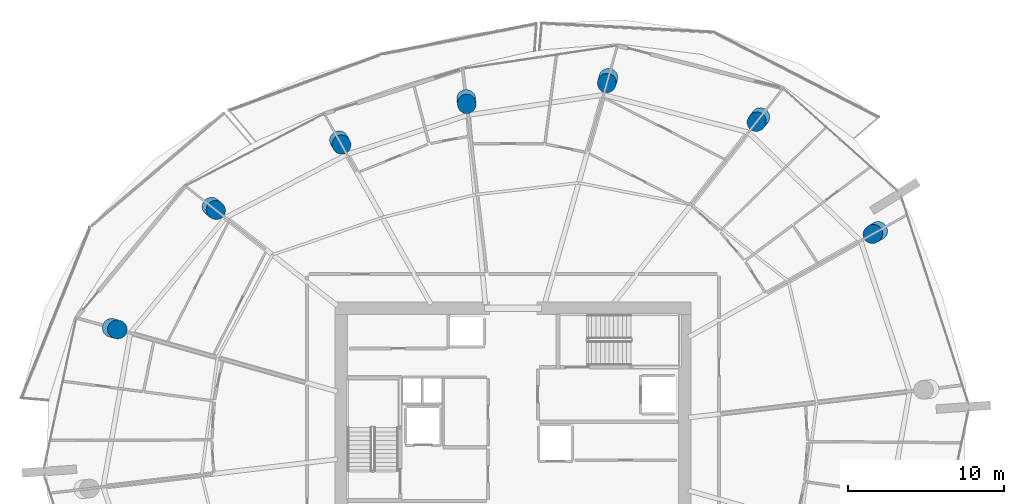
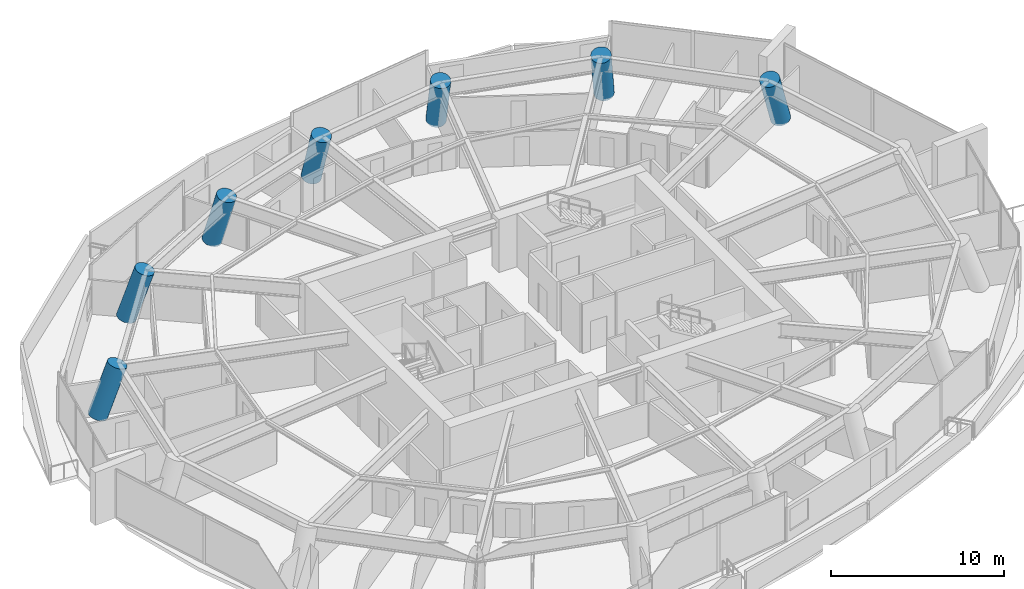
# One storey, part 4 of 23: 7 columns.
"""IFC4 building model written with IfcOpenShell, lengths in metres."""

from ifc_helpers import new_model, si_unit, direction, frame, origin, origin_2d, place, context, subcontext, project, spatial, circle, extrude, material, material_profile, profile_set, type_object, element, save


model = new_model("IFC4")

# Units and contexts
model_context = context("Model", 3, precision=1e-05, world=origin(), true_north=direction((0.0, 1.0)))
body_context = subcontext(model_context, "Body", "Model", "MODEL_VIEW")
ifc_project = project(units=[si_unit("LENGTHUNIT", "METRE"), si_unit("AREAUNIT", "SQUARE_METRE"), si_unit("VOLUMEUNIT", "CUBIC_METRE"), si_unit("PLANEANGLEUNIT", "RADIAN"), si_unit("MASSUNIT", "GRAM", prefix="KILO")], contexts=[model_context])

# Site, building, storey
site_placement = place(None, origin())
site = spatial("IfcSite", under=ifc_project, at=site_placement, CompositionType="ELEMENT")
building_placement = place(site_placement, origin())
building = spatial("IfcBuilding", under=site, at=building_placement, Name="Kazma Halo Residences", CompositionType="ELEMENT")
storey_placement = place(building_placement, frame((0.0, 0.0, 112.64990234375)))
storey = spatial("IfcBuildingStorey", under=building, at=storey_placement, Name="L28", CompositionType="ELEMENT", Elevation=112.64990234375)

# Columns
ifc_material = material(Name="Concrete C80/95", Category="concrete")
ifc_material_profile = material_profile(ifc_material, circle(Radius=0.60009765625, at=origin_2d()), Name="CIRC1200")
ifc_profile_set = profile_set([ifc_material_profile], Name="Concrete C80/95")
column_type = type_object("IfcColumnType", Name="COL-PERIM-1200", PredefinedType="COLUMN", material=ifc_profile_set)
column_1_placement = place(storey_placement, frame((71.9033203125, 55.386474609375, 0.0), z_axis=(-0.289376505588, -0.162077391433, 0.943393956521), x_axis=(0.488664302037, -0.872471890616, 0.0)))
element("IfcColumn", 1, at=column_1_placement, inside=storey, type_object=column_type, Name="L28 perimeter ring column P01", PredefinedType="COLUMN", context=body_context, shape_type="SweptSolid", body=[
    extrude(circle(Radius=0.60009765625, at=origin_2d()), origin(), (0.0, 0.0, 1.0), 3.678466796875),
])
column_2_placement = place(storey_placement, frame((64.323486328125, 62.706298828125, 0.0), z_axis=(-0.198457488994, -0.251703806559, 0.947237994818), x_axis=(0.785271109582, -0.619152068926, 0.0)))
element("IfcColumn", 2, at=column_2_placement, inside=storey, type_object=column_type, Name="L28 perimeter ring column P02", PredefinedType="COLUMN", context=body_context, shape_type="SweptSolid", body=[
    extrude(circle(Radius=0.60009765625, at=origin_2d()), origin(), (0.0, 0.0, 1.0), 3.66357421875),
])
column_3_placement = place(storey_placement, frame((54.552734375, 65.234130859375, 0.0), z_axis=(-0.080372181919, -0.284864280229, 0.955192469727), x_axis=(0.962426857869, -0.271541052609, 0.0)))
element("IfcColumn", 3, at=column_3_placement, inside=storey, type_object=column_type, Name="L28 perimeter ring column P03", PredefinedType="COLUMN", context=body_context, shape_type="SweptSolid", body=[
    extrude(circle(Radius=0.60009765625, at=origin_2d()), origin(), (0.0, 0.0, 1.0), 3.633056640625),
])
for number, where, z_axis, x_axis, name in (
    (4, (45.41162109375, 63.869140625, 0.0), (0.031955218723, -0.270062219249, 0.962312455355), (0.99307221262, 0.117505661659, 0.0), "L28 perimeter ring column P04"),
    (5, (37.23974609375, 61.2138671875, 0.0), (0.132897442347, -0.237292682336, 0.962304760836), (0.872484791249, 0.488641268252, 0.0), "L28 perimeter ring column P05"),
):
    element("IfcColumn", number, at=place(storey_placement, frame(where, z_axis=z_axis, x_axis=x_axis)), inside=storey, type_object=column_type, Name=name, PredefinedType="COLUMN", context=body_context, shape_type="SweptSolid", body=[
        extrude(circle(Radius=0.60009765625, at=origin_2d()), origin(), (0.0, 0.0, 1.0), 3.606201171875),
    ])
column_4_placement = place(storey_placement, frame((29.0419921875, 56.9453125, 0.0), z_axis=(0.23244676176, -0.183255946608, 0.95518886142), x_axis=(0.619114149501, 0.785301005913, 0.0)))
element("IfcColumn", 6, at=column_4_placement, inside=storey, type_object=column_type, Name="L28 perimeter ring column P06", PredefinedType="COLUMN", context=body_context, shape_type="SweptSolid", body=[
    extrude(circle(Radius=0.60009765625, at=origin_2d()), origin(), (0.0, 0.0, 1.0), 3.633056640625),
])
column_5_placement = place(storey_placement, frame((22.623291015625, 49.156982421875, 0.0), z_axis=(0.308482748796, -0.087033586072, 0.947239963574), x_axis=(0.271534237934, 0.962428780549, 0.0)))
element("IfcColumn", 7, at=column_5_placement, inside=storey, type_object=column_type, Name="L28 perimeter ring column P07", PredefinedType="COLUMN", context=body_context, shape_type="SweptSolid", body=[
    extrude(circle(Radius=0.60009765625, at=origin_2d()), origin(), (0.0, 0.0, 1.0), 3.66357421875),
])

save(model, "model.ifc")
